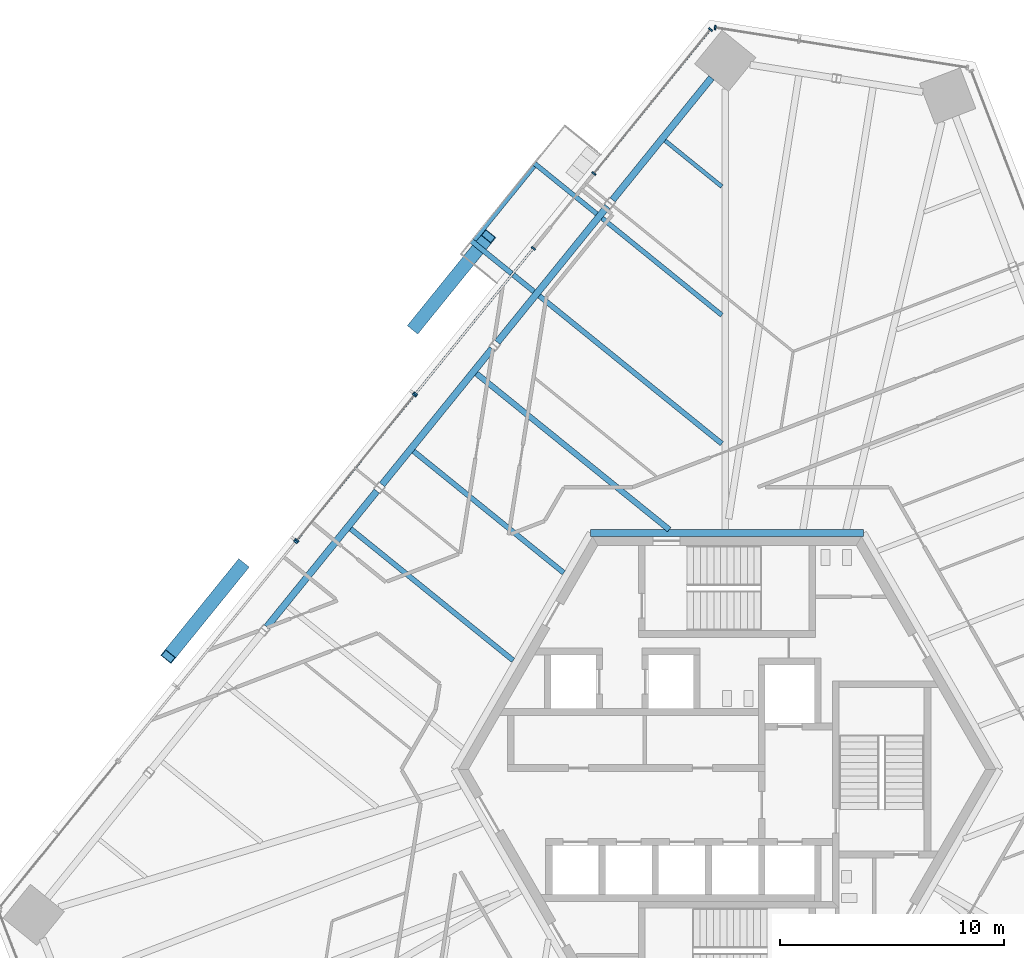
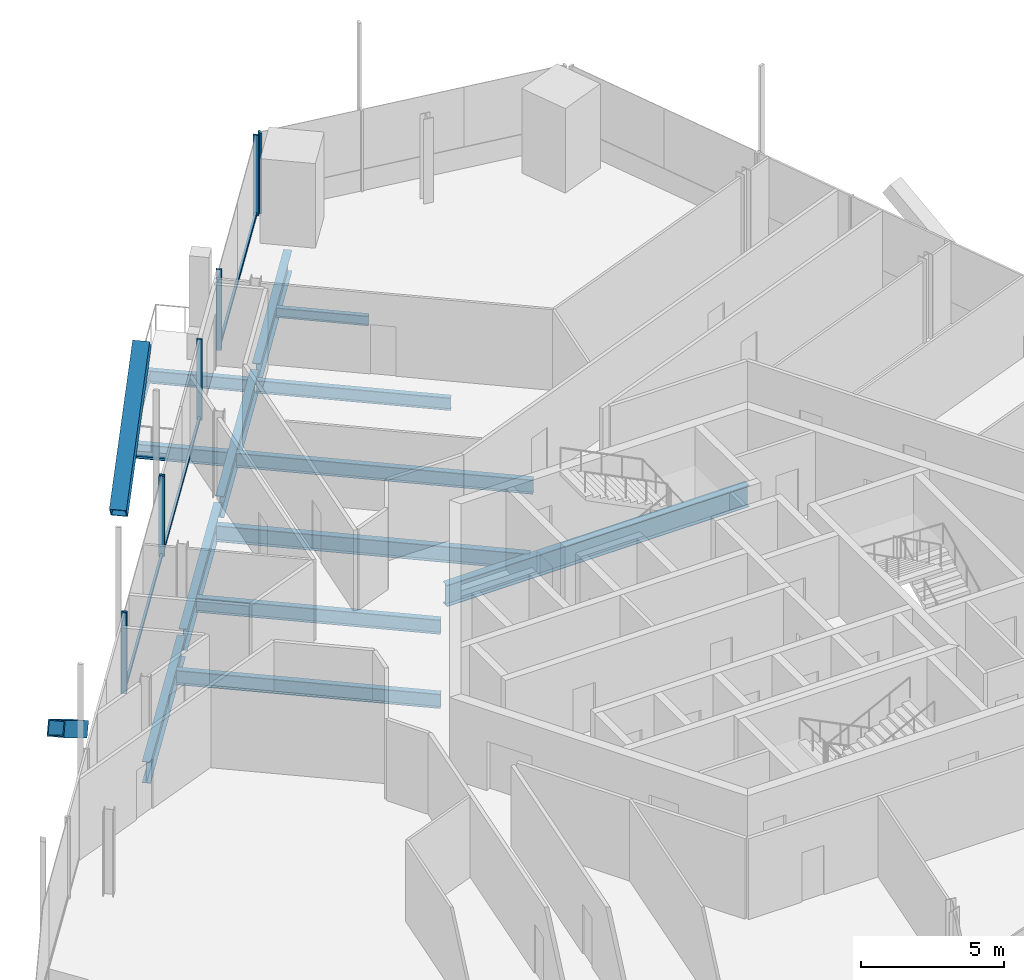
# One storey, part 8 of 21: 14 beams, 13 members, 5 elements without a shape of their own.
"""IFC4 building model written with IfcOpenShell, lengths in metres."""

from ifc_helpers import new_model, si_unit, direction, frame, origin, origin_2d, place, context, subcontext, project, spatial, rectangle, hollow_rectangle, i_section, extrude, source, transform, mapped, material, material_profile, profile_set, type_object, element, aggregate, save


model = new_model("IFC4")

# Units and contexts
model_context = context("Model", 3, precision=1e-05, world=origin(), true_north=direction((0.0, 1.0)))
body_context = subcontext(model_context, "Body", "Model", "MODEL_VIEW")
ifc_project = project(units=[si_unit("LENGTHUNIT", "METRE"), si_unit("AREAUNIT", "SQUARE_METRE"), si_unit("VOLUMEUNIT", "CUBIC_METRE"), si_unit("PLANEANGLEUNIT", "RADIAN"), si_unit("MASSUNIT", "GRAM", prefix="KILO")], contexts=[model_context])

# Site, building, storey
site_placement = place(None, origin())
site = spatial("IfcSite", under=ifc_project, at=site_placement, CompositionType="ELEMENT")
building_placement = place(site_placement, origin())
building = spatial("IfcBuilding", under=site, at=building_placement, Name="Triune Harvest Tower", CompositionType="ELEMENT")
storey_placement = place(building_placement, frame((0.0, 0.0, 160.5)))
storey = spatial("IfcBuildingStorey", under=building, at=storey_placement, Name="L41", CompositionType="ELEMENT", Elevation=160.5)

# Beams
ifc_material_1 = material(Name="Steel ASTM A992 Gr 50", Category="steel")
ifc_material_profile_1 = material_profile(ifc_material_1, i_section(OverallWidth=0.3046875, OverallDepth=0.914306640625, WebThickness=0.0166015625, FlangeThickness=0.02587890625, at=origin_2d()), Name="W36x160")
ifc_profile_set_1 = profile_set([ifc_material_profile_1], Name="Steel ASTM A992 Gr 50")
beam_type_1 = type_object("IfcBeamType", Name="CG-1 Core ring girder W36x160", PredefinedType="BEAM", material=ifc_profile_set_1)
shared_shape_1 = source(origin(), body_context, "Body", "SweptSolid", [
    extrude(i_section(OverallWidth=0.3046875, OverallDepth=0.914306640625, WebThickness=0.0166015625, FlangeThickness=0.02587890625, at=origin_2d()), origin(), (0.0, 0.0, 1.0), 12.17578125),
])
beam_1_placement = place(storey_placement, frame((6.087890625, 10.544677734375, -0.6171875), z_axis=(-1.0, 0.0, 0.0), x_axis=(0.0, -1.0, 0.0)))
element("IfcBeam", 1, at=beam_1_placement, inside=storey, type_object=beam_type_1, Name="beam/L41/CG2", PredefinedType="BEAM", context=body_context, shape_type="MappedRepresentation", body=[
    mapped(shared_shape_1, transform((0.0, 0.0, 0.0), scale=1.0)),
])
ifc_material_2 = material(Name="Steel ASTM A992 Gr 50", Category="steel")
ifc_material_profile_2 = material_profile(ifc_material_2, i_section(OverallWidth=0.3046875, OverallDepth=0.914306640625, WebThickness=0.0166015625, FlangeThickness=0.02587890625, at=origin_2d()), Name="W36x160")
ifc_profile_set_2 = profile_set([ifc_material_profile_2], Name="Steel ASTM A992 Gr 50")
beam_type_2 = type_object("IfcBeamType", Name="SB-1 Spandrel beam W36x160", PredefinedType="SPANDREL", material=ifc_profile_set_2)
shared_shape_2 = source(origin(), body_context, "Body", "SweptSolid", [
    extrude(i_section(OverallWidth=0.3046875, OverallDepth=0.914306640625, WebThickness=0.0166015625, FlangeThickness=0.02587890625, at=origin_2d()), origin(), (0.0, 0.0, 1.0), 7.013427734375),
])
beam_2_placement = place(storey_placement, frame((-0.69287109375, 30.8642578125, -0.6171875), z_axis=(-0.629311381255, -0.777153257358, 0.0), x_axis=(0.777153257358, -0.629311381255, 0.0)))
element("IfcBeam", 2, at=beam_2_placement, inside=storey, type_object=beam_type_2, Name="beam/L41/SB9", PredefinedType="SPANDREL", context=body_context, shape_type="MappedRepresentation", body=[
    mapped(shared_shape_2, transform((0.0, 0.0, 0.0), scale=1.0)),
])
shared_shape_3 = source(origin(), body_context, "Body", "SweptSolid", [
    extrude(i_section(OverallWidth=0.3046875, OverallDepth=0.914306640625, WebThickness=0.0166015625, FlangeThickness=0.02587890625, at=origin_2d()), origin(), (0.0, 0.0, 1.0), 7.801513671875),
])
for number, where, z_axis, x_axis, name in (
    (3, (-5.34130859375, 25.12353515625, -0.6171875), (-0.629351256413, -0.777120966163, 0.0), (0.777120966163, -0.629351256413, 0.0), "beam/L41/SB10"),
    (4, (-10.486083984375, 18.7705078125, -0.6171875), (-0.629317051779, -0.777148665533, 0.0), (0.777148665533, -0.629317051779, 0.0), "beam/L41/SB11"),
    (5, (-15.630859375, 12.417236328125, -0.6171875), (-0.629317051779, -0.777148665533, 0.0), (0.777148665533, -0.629317051779, 0.0), "beam/L41/SB12"),
):
    element("IfcBeam", number, at=place(storey_placement, frame(where, z_axis=z_axis, x_axis=x_axis)), inside=storey, type_object=beam_type_2, Name=name, PredefinedType="SPANDREL", context=body_context, shape_type="MappedRepresentation", body=[
        mapped(shared_shape_3, transform((0.0, 0.0, 0.0), scale=1.0)),
    ])
ifc_material_3 = material(Name="Steel ASTM A992 Gr 50", Category="steel")
ifc_material_profile_3 = material_profile(ifc_material_3, i_section(OverallWidth=0.22900390625, OverallDepth=0.612060546875, WebThickness=0.011962890625, FlangeThickness=0.01953125, at=origin_2d()), Name="W24x84")
ifc_profile_set_3 = profile_set([ifc_material_profile_3], Name="Steel ASTM A992 Gr 50")
beam_type_3 = type_object("IfcBeamType", Name="JT-3 Floor joist W24x84", PredefinedType="JOIST", material=ifc_profile_set_3)
shared_shape_4 = source(origin(), body_context, "Body", "SweptSolid", [
    extrude(i_section(OverallWidth=0.22900390625, OverallDepth=0.612060546875, WebThickness=0.011962890625, FlangeThickness=0.01953125, at=origin_2d()), origin(), (0.0, 0.0, 1.0), 10.482666015625),
])
beam_3_placement = place(storey_placement, frame((-8.37939453125, 21.1298828125, -0.466064453125), z_axis=(0.777144521909, -0.62932216874, 0.0), x_axis=(0.62932216874, 0.777144521909, 0.0)))
element("IfcBeam", 6, at=beam_3_placement, inside=storey, type_object=beam_type_3, Name="beam/L41/JT15", PredefinedType="JOIST", context=body_context, shape_type="MappedRepresentation", body=[
    mapped(shared_shape_4, transform((0.0, 0.0, 0.0), scale=1.0)),
])
ifc_material_4 = material(Name="Steel ASTM A992 Gr 50", Category="steel")
ifc_material_profile_4 = material_profile(ifc_material_4, i_section(OverallWidth=0.180908203125, OverallDepth=0.41650390625, WebThickness=0.010986328125, FlangeThickness=0.01806640625, at=origin_2d()), Name="W16x57")
ifc_profile_set_4 = profile_set([ifc_material_profile_4], Name="Steel ASTM A992 Gr 50")
beam_type_4 = type_object("IfcBeamType", Name="JT-1 Floor joist W16x57", PredefinedType="JOIST", material=ifc_profile_set_4)
shared_shape_5 = source(origin(), body_context, "Body", "SweptSolid", [
    extrude(i_section(OverallWidth=0.180908203125, OverallDepth=0.41650390625, WebThickness=0.010986328125, FlangeThickness=0.01806640625, at=origin_2d()), origin(), (0.0, 0.0, 1.0), 3.2607421875),
])
beam_4_placement = place(storey_placement, frame((-2.76708984375, 28.060546875, -0.368408203125), z_axis=(0.777166403411, -0.6292951465, 0.0), x_axis=(0.6292951465, 0.777166403411, 0.0)))
element("IfcBeam", 7, at=beam_4_placement, inside=storey, type_object=beam_type_4, Name="beam/L41/JT13", PredefinedType="JOIST", context=body_context, shape_type="MappedRepresentation", body=[
    mapped(shared_shape_5, transform((0.0, 0.0, 0.0), scale=1.0)),
])
ifc_material_5 = material(Name="Steel ASTM A992 Gr 50", Category="steel")
ifc_material_profile_5 = material_profile(ifc_material_5, i_section(OverallWidth=0.2099609375, OverallDepth=0.535888671875, WebThickness=0.010986328125, FlangeThickness=0.017333984375, at=origin_2d()), Name="W21x68")
ifc_profile_set_5 = profile_set([ifc_material_profile_5], Name="Steel ASTM A992 Gr 50")
beam_type_5 = type_object("IfcBeamType", Name="JT-2 Floor joist W21x68", PredefinedType="JOIST", material=ifc_profile_set_5)
shared_shape_6 = source(origin(), body_context, "Body", "SweptSolid", [
    extrude(i_section(OverallWidth=0.2099609375, OverallDepth=0.535888671875, WebThickness=0.010986328125, FlangeThickness=0.017333984375, at=origin_2d()), origin(), (0.0, 0.0, 1.0), 6.87158203125),
])
beam_5_placement = place(storey_placement, frame((-5.572998046875, 24.59521484375, -0.427978515625), z_axis=(0.777135642445, -0.629333133755, 0.0), x_axis=(0.629333133755, 0.777135642445, 0.0)))
element("IfcBeam", 8, at=beam_5_placement, inside=storey, type_object=beam_type_5, Name="beam/L41/JT14", PredefinedType="JOIST", context=body_context, shape_type="MappedRepresentation", body=[
    mapped(shared_shape_6, transform((0.0, 0.0, 0.0), scale=1.0)),
])
ifc_material_6 = material(Name="Steel ASTM A992 Gr 50", Category="steel")
ifc_material_profile_6 = material_profile(ifc_material_6, i_section(OverallWidth=0.253662109375, OverallDepth=0.683349609375, WebThickness=0.012451171875, FlangeThickness=0.01904296875, at=origin_2d()), Name="W27x94")
ifc_profile_set_6 = profile_set([ifc_material_profile_6], Name="Steel ASTM A992 Gr 50")
beam_type_6 = type_object("IfcBeamType", Name="JT-4 Floor joist W27x94", PredefinedType="JOIST", material=ifc_profile_set_6)
shared_shape_7 = source(origin(), body_context, "Body", "SweptSolid", [
    extrude(i_section(OverallWidth=0.253662109375, OverallDepth=0.683349609375, WebThickness=0.012451171875, FlangeThickness=0.01904296875, at=origin_2d()), origin(), (0.0, 0.0, 1.0), 11.0712890625),
])
beam_6_placement = place(storey_placement, frame((-11.185546875, 17.66455078125, -0.501708984375), z_axis=(0.777139586487, -0.6293282634, 0.0), x_axis=(0.6293282634, 0.777139586487, 0.0)))
element("IfcBeam", 9, at=beam_6_placement, inside=storey, type_object=beam_type_6, Name="beam/L41/JT16", PredefinedType="JOIST", context=body_context, shape_type="MappedRepresentation", body=[
    mapped(shared_shape_7, transform((0.0, 0.0, 0.0), scale=1.0)),
])
shared_shape_8 = source(origin(), body_context, "Body", "SweptSolid", [
    extrude(i_section(OverallWidth=0.22900390625, OverallDepth=0.612060546875, WebThickness=0.011962890625, FlangeThickness=0.01953125, at=origin_2d()), origin(), (0.0, 0.0, 1.0), 8.6259765625),
])
beam_7_placement = place(storey_placement, frame((-13.99169921875, 14.19921875, -0.466064453125), z_axis=(0.777146653343, -0.629319536641, 0.0), x_axis=(0.629319536641, 0.777146653343, 0.0)))
element("IfcBeam", 10, at=beam_7_placement, inside=storey, type_object=beam_type_3, Name="beam/L41/JT17", PredefinedType="JOIST", context=body_context, shape_type="MappedRepresentation", body=[
    mapped(shared_shape_8, transform((0.0, 0.0, 0.0), scale=1.0)),
])
shared_shape_9 = source(origin(), body_context, "Body", "SweptSolid", [
    extrude(i_section(OverallWidth=0.22900390625, OverallDepth=0.612060546875, WebThickness=0.011962890625, FlangeThickness=0.01953125, at=origin_2d()), origin(), (0.0, 0.0, 1.0), 9.33251953125),
])
beam_8_placement = place(storey_placement, frame((-16.798095703125, 10.73388671875, -0.466064453125), z_axis=(0.777149214732, -0.629316373568, 0.0), x_axis=(0.629316373568, 0.777149214732, 0.0)))
element("IfcBeam", 11, at=beam_8_placement, inside=storey, type_object=beam_type_3, Name="beam/L41/JT18", PredefinedType="JOIST", context=body_context, shape_type="MappedRepresentation", body=[
    mapped(shared_shape_9, transform((0.0, 0.0, 0.0), scale=1.0)),
])

# Members
ifc_material_7 = material(Name="Steel ASTM A572 Gr 50", Category="steel")
ifc_material_profile_7 = material_profile(ifc_material_7, hollow_rectangle(XDim=0.60009765625, YDim=0.60009765625, WallThickness=0.0400390625, at=origin_2d()), Name="Box 600x600x40")
ifc_profile_set_7 = profile_set([ifc_material_profile_7], Name="Steel ASTM A572 Gr 50")
member_type_1 = type_object("IfcMemberType", Name="BR-2 Brace Box 600x600x40", PredefinedType="BRACE", material=ifc_profile_set_7)
shared_shape_10 = source(origin(), body_context, "Body", "SweptSolid", [
    extrude(hollow_rectangle(XDim=0.60009765625, YDim=0.60009765625, WallThickness=0.0400390625, at=origin_2d()), origin(), (0.0, 0.0, 1.0), 6.3291015625),
])
for number, where, z_axis, x_axis, name in (
    (12, (-21.6650390625, 9.0791015625, 0.0), (-0.517590508098, -0.639176831062, 0.568817233002), (0.777148746815, -0.629316951404, 0.0), "brace/B4-F3/d1/7"),
    (13, (-13.92919921875, 19.744384765625, 0.0), (0.517590508098, 0.639176831062, 0.568817233002), (-0.777148746815, 0.629316951404, 0.0), "brace/B4-F3/d2/7"),
):
    element("IfcMember", number, at=place(storey_placement, frame(where, z_axis=z_axis, x_axis=x_axis)), inside=storey, type_object=member_type_1, Name=name, PredefinedType="BRACE", context=body_context, shape_type="MappedRepresentation", body=[
        mapped(shared_shape_10, transform((0.0, 0.0, 0.0), scale=1.0)),
    ])

# Curtain wall, member
ifc_material_8 = material(Name="Aluminium bronze anodised", Category="aluminium")
curtain_wall_type_1 = type_object("IfcCurtainWallType", Name="CW-1 Tower stick curtain wall", PredefinedType="NOTDEFINED", material=ifc_material_8)
curtain_wall_1_placement = place(storey_placement, origin())
curtain_wall_1 = element("IfcCurtainWall", 14, at=curtain_wall_1_placement, inside=storey, type_object=curtain_wall_type_1, Name="CW-1 B4-F2 L41 run 1")
ifc_material_9 = material(Name="Aluminium bronze anodised", Category="aluminium")
ifc_material_profile_8 = material_profile(ifc_material_9, rectangle(XDim=0.199951171875, YDim=0.074951171875, at=origin_2d()), Name="MU-1 mullion 75 x 200")
ifc_profile_set_8 = profile_set([ifc_material_profile_8], Name="Aluminium bronze anodised")
member_type_2 = type_object("IfcMemberType", Name="MU-1 mullion 75 x 200", PredefinedType="MULLION", material=ifc_profile_set_8)
shared_shape_11 = source(origin(), body_context, "Body", "SweptSolid", [
    extrude(rectangle(XDim=0.199951171875, YDim=0.074951171875, at=origin_2d()), origin(), (0.0, 0.0, 1.0), 3.43994140625),
])
member_1_placement = place(storey_placement, frame((-0.528076171875, 33.09912109375, 0.0), z_axis=(0.0, 0.0, 1.0), x_axis=(-0.156432728322, -0.987688615663, 0.0)))
member_1 = element("IfcMember", 15, at=member_1_placement, type_object=member_type_2, Name="CW-1 mullion B4-F2 1.4", PredefinedType="MULLION", context=body_context, shape_type="MappedRepresentation", body=[
    mapped(shared_shape_11, transform((0.0, 0.0, 0.0), scale=1.0)),
])
aggregate(curtain_wall_1, [member_1])

# Curtain wall, members
ifc_material_10 = material(Name="Aluminium bronze anodised", Category="aluminium")
curtain_wall_type_2 = type_object("IfcCurtainWallType", Name="CW-6 Balcony window wall", PredefinedType="NOTDEFINED", material=ifc_material_10)
curtain_wall_2_placement = place(storey_placement, origin())
curtain_wall_2 = element("IfcCurtainWall", 16, at=curtain_wall_2_placement, inside=storey, type_object=curtain_wall_type_2, Name="CW-6 B4-F3 L41 run 1")
ifc_material_11 = material(Name="Aluminium bronze anodised", Category="aluminium")
ifc_material_profile_9 = material_profile(ifc_material_11, rectangle(XDim=0.199951171875, YDim=0.074951171875, at=origin_2d()), Name="MU-6 mullion 75 x 200")
ifc_profile_set_9 = profile_set([ifc_material_profile_9], Name="Aluminium bronze anodised")
member_type_3 = type_object("IfcMemberType", Name="MU-6 mullion 75 x 200", PredefinedType="MULLION", material=ifc_profile_set_9)
shared_shape_12 = source(origin(), body_context, "Body", "SweptSolid", [
    extrude(rectangle(XDim=0.199951171875, YDim=0.074951171875, at=origin_2d()), origin(), (0.0, 0.0, 1.0), 3.43994140625),
])
member_2_placement = place(storey_placement, frame((-0.734130859375, 33.02001953125, 0.0), z_axis=(0.0, 0.0, 1.0), x_axis=(0.777145096577, -0.629321459087, 0.0)))
member_2 = element("IfcMember", 17, at=member_2_placement, type_object=member_type_3, Name="CW-6 mullion B4-F3 1.1", PredefinedType="MULLION", context=body_context, shape_type="MappedRepresentation", body=[
    mapped(shared_shape_12, transform((0.0, 0.0, 0.0), scale=1.0)),
])
member_3_placement = place(storey_placement, frame((-5.943115234375, 26.587158203125, 0.0), z_axis=(0.0, 0.0, 1.0), x_axis=(0.777145096577, -0.629321459087, 0.0)))
member_3 = element("IfcMember", 18, at=member_3_placement, type_object=member_type_3, Name="CW-6 mullion B4-F3 1.3", PredefinedType="MULLION", context=body_context, shape_type="MappedRepresentation", body=[
    mapped(shared_shape_12, transform((0.0, 0.0, 0.0), scale=1.0)),
])

ifc_material_12 = material(Name="Aluminium bronze anodised", Category="aluminium")
curtain_wall_type_3 = type_object("IfcCurtainWallType", Name="CW-10 Balcony window wall with insulated spandrel infill", PredefinedType="NOTDEFINED", material=ifc_material_12)
curtain_wall_3_placement = place(storey_placement, origin())
curtain_wall_3 = element("IfcCurtainWall", 19, at=curtain_wall_3_placement, inside=storey, type_object=curtain_wall_type_3, Name="CW-10 B4-F3 L41 run 2")
member_4_placement = place(storey_placement, frame((-8.646728515625, 23.24853515625, 0.0), z_axis=(0.0, 0.0, 1.0), x_axis=(0.777141863648, -0.629325451389, 0.0)))
member_4 = element("IfcMember", 20, at=member_4_placement, type_object=member_type_3, Name="CW-10 mullion B4-F3 2.1", PredefinedType="MULLION", context=body_context, shape_type="MappedRepresentation", body=[
    mapped(shared_shape_12, transform((0.0, 0.0, 0.0), scale=1.0)),
])
member_5_placement = place(storey_placement, frame((-13.89990234375, 16.761474609375, 0.0), z_axis=(0.0, 0.0, 1.0), x_axis=(0.777141863648, -0.629325451389, 0.0)))
member_5 = element("IfcMember", 21, at=member_5_placement, type_object=member_type_3, Name="CW-10 mullion B4-F3 2.3", PredefinedType="MULLION", context=body_context, shape_type="MappedRepresentation", body=[
    mapped(shared_shape_12, transform((0.0, 0.0, 0.0), scale=1.0)),
])

curtain_wall_4_placement = place(storey_placement, origin())
curtain_wall_4 = element("IfcCurtainWall", 22, at=curtain_wall_4_placement, inside=storey, type_object=curtain_wall_type_2, Name="CW-6 B4-F3 L41 run 1002")
member_6_placement = place(storey_placement, frame((-13.947265625, 16.703369140625, 0.0), z_axis=(0.0, 0.0, 1.0), x_axis=(0.777144767109, -0.629321865944, 0.0)))
member_6 = element("IfcMember", 23, at=member_6_placement, type_object=member_type_3, Name="CW-6 mullion B4-F3 1002.1", PredefinedType="MULLION", context=body_context, shape_type="MappedRepresentation", body=[
    mapped(shared_shape_12, transform((0.0, 0.0, 0.0), scale=1.0)),
])
member_7_placement = place(storey_placement, frame((-19.2001953125, 10.21630859375, 0.0), z_axis=(0.0, 0.0, 1.0), x_axis=(0.777144767109, -0.629321865944, 0.0)))
member_7 = element("IfcMember", 24, at=member_7_placement, type_object=member_type_3, Name="CW-6 mullion B4-F3 1002.3", PredefinedType="MULLION", context=body_context, shape_type="MappedRepresentation", body=[
    mapped(shared_shape_12, transform((0.0, 0.0, 0.0), scale=1.0)),
])

# Curtain wall, member
curtain_wall_5_placement = place(storey_placement, origin())
curtain_wall_5 = element("IfcCurtainWall", 25, at=curtain_wall_5_placement, inside=storey, type_object=curtain_wall_type_3, Name="CW-10 B4-F3 L41 run 2002")
member_8_placement = place(storey_placement, frame((-19.24755859375, 10.157958984375, 0.0), z_axis=(0.0, 0.0, 1.0), x_axis=(0.777148270206, -0.629317539971, 0.0)))
member_8 = element("IfcMember", 26, at=member_8_placement, type_object=member_type_3, Name="CW-10 mullion B4-F3 2002.1", PredefinedType="MULLION", context=body_context, shape_type="MappedRepresentation", body=[
    mapped(shared_shape_12, transform((0.0, 0.0, 0.0), scale=1.0)),
])
aggregate(curtain_wall_5, [member_8])

# Beams
ifc_material_13 = material(Name="Steel ASTM A992 Gr 50", Category="steel")
ifc_material_profile_10 = material_profile(ifc_material_13, i_section(OverallWidth=0.22900390625, OverallDepth=0.612060546875, WebThickness=0.011962890625, FlangeThickness=0.01953125, at=origin_2d()), Name="W24x84")
ifc_profile_set_10 = profile_set([ifc_material_profile_10], Name="Steel ASTM A992 Gr 50")
beam_type_7 = type_object("IfcBeamType", Name="BJ-3 Balcony cantilever joist W24x84", PredefinedType="JOIST", material=ifc_profile_set_10)
shared_shape_13 = source(origin(), body_context, "Body", "SweptSolid", [
    extrude(i_section(OverallWidth=0.22900390625, OverallDepth=0.612060546875, WebThickness=0.011962890625, FlangeThickness=0.01953125, at=origin_2d()), origin(), (0.0, 0.0, 1.0), 3.59765625),
])
beam_9_placement = place(storey_placement, frame((-8.6162109375, 21.32177734375, -0.466064453125), z_axis=(-0.777167426596, 0.629293882887, 0.0), x_axis=(-0.629293882887, -0.777167426596, 0.0)))
element("IfcBeam", 27, at=beam_9_placement, inside=storey, type_object=beam_type_7, Name="Balcony cantilever joist B4-F3 L41.3b", PredefinedType="JOIST", context=body_context, shape_type="MappedRepresentation", body=[
    mapped(shared_shape_13, transform((0.0, 0.0, 0.0), scale=1.0)),
])
ifc_material_14 = material(Name="Steel ASTM A992 Gr 50", Category="steel")
ifc_material_profile_11 = material_profile(ifc_material_14, i_section(OverallWidth=0.2099609375, OverallDepth=0.535888671875, WebThickness=0.010986328125, FlangeThickness=0.017333984375, at=origin_2d()), Name="W21x68")
ifc_profile_set_11 = profile_set([ifc_material_profile_11], Name="Steel ASTM A992 Gr 50")
beam_type_8 = type_object("IfcBeamType", Name="BJ-2 Balcony cantilever joist W21x68", PredefinedType="JOIST", material=ifc_profile_set_11)
shared_shape_14 = source(origin(), body_context, "Body", "SweptSolid", [
    extrude(i_section(OverallWidth=0.2099609375, OverallDepth=0.535888671875, WebThickness=0.010986328125, FlangeThickness=0.017333984375, at=origin_2d()), origin(), (0.0, 0.0, 1.0), 3.59765625),
])
beam_10_placement = place(storey_placement, frame((-5.81005859375, 24.787109375, -0.427978515625), z_axis=(-0.777134237383, 0.629334868799, 0.0), x_axis=(-0.629334868799, -0.777134237383, 0.0)))
element("IfcBeam", 28, at=beam_10_placement, inside=storey, type_object=beam_type_8, Name="Balcony cantilever joist B4-F3 L41.3a", PredefinedType="JOIST", context=body_context, shape_type="MappedRepresentation", body=[
    mapped(shared_shape_14, transform((0.0, 0.0, 0.0), scale=1.0)),
])
ifc_material_15 = material(Name="Steel ASTM A992 Gr 50", Category="steel")
ifc_material_profile_12 = material_profile(ifc_material_15, i_section(OverallWidth=0.180908203125, OverallDepth=0.41650390625, WebThickness=0.010986328125, FlangeThickness=0.01806640625, at=origin_2d()), Name="W16x57")
ifc_profile_set_12 = profile_set([ifc_material_profile_12], Name="Steel ASTM A992 Gr 50")
beam_type_9 = type_object("IfcBeamType", Name="BE-1 balcony edge beam W16x57", PredefinedType="BEAM", material=ifc_profile_set_12)
shared_shape_15 = source(origin(), body_context, "Body", "SweptSolid", [
    extrude(i_section(OverallWidth=0.180908203125, OverallDepth=0.41650390625, WebThickness=0.010986328125, FlangeThickness=0.01806640625, at=origin_2d()), origin(), (0.0, 0.0, 1.0), 4.239501953125),
])
beam_11_placement = place(storey_placement, frame((-11.269775390625, 23.617919921875, -0.368408203125), z_axis=(0.62931915537, 0.777146962089, 0.0), x_axis=(-0.777146962089, 0.62931915537, 0.0)))
element("IfcBeam", 29, at=beam_11_placement, inside=storey, type_object=beam_type_9, Name="Balcony edge beam B4-F3 L41.3", PredefinedType="BEAM", context=body_context, shape_type="MappedRepresentation", body=[
    mapped(shared_shape_15, transform((0.0, 0.0, 0.0), scale=1.0)),
])

# Member
ifc_material_16 = material(Name="Aluminium bronze anodised", Category="aluminium")
ifc_material_profile_13 = material_profile(ifc_material_16, rectangle(XDim=0.090087890625, YDim=0.14990234375, at=origin_2d()), Name="TR-6 transom 90 x 150")
ifc_profile_set_13 = profile_set([ifc_material_profile_13], Name="Aluminium bronze anodised")
member_type_4 = type_object("IfcMemberType", Name="TR-6 transom 90 x 150", PredefinedType="USERDEFINED", material=ifc_profile_set_13)
shared_shape_16 = source(origin(), body_context, "Body", "SweptSolid", [
    extrude(rectangle(XDim=0.090087890625, YDim=0.14990234375, at=origin_2d()), origin(), (0.0, 0.0, 1.0), 8.2021484375),
])
member_9_placement = place(storey_placement, frame((-0.7578125, 32.99072265625, 0.074951171875), z_axis=(-0.629326659165, -0.777140885595, 0.0), x_axis=(0.777140885595, -0.629326659165, 0.0)))
member_9 = element("IfcMember", 30, at=member_9_placement, type_object=member_type_4, Name="CW-6 transom B4-F3 1.1", ObjectType="TRANSOM", PredefinedType="USERDEFINED", context=body_context, shape_type="MappedRepresentation", body=[
    mapped(shared_shape_16, transform((0.0, 0.0, 0.0), scale=1.0)),
])

aggregate(curtain_wall_2, [member_2, member_3, member_9])

shared_shape_17 = source(origin(), body_context, "Body", "SweptSolid", [
    extrude(rectangle(XDim=0.090087890625, YDim=0.14990234375, at=origin_2d()), origin(), (0.0, 0.0, 1.0), 8.272216796875),
])
member_10_placement = place(storey_placement, frame((-8.67041015625, 23.219482421875, 0.074951171875), z_axis=(-0.629334059467, -0.777134892792, 0.0), x_axis=(0.777134892792, -0.629334059467, 0.0)))
member_10 = element("IfcMember", 31, at=member_10_placement, type_object=member_type_4, Name="CW-10 transom B4-F3 2.1", ObjectType="TRANSOM", PredefinedType="USERDEFINED", context=body_context, shape_type="MappedRepresentation", body=[
    mapped(shared_shape_17, transform((0.0, 0.0, 0.0), scale=1.0)),
])

aggregate(curtain_wall_3, [member_4, member_5, member_10])

member_11_placement = place(storey_placement, frame((-13.970703125, 16.674072265625, 0.074951171875), z_axis=(-0.629334059467, -0.777134892792, 0.0), x_axis=(0.777134892792, -0.629334059467, 0.0)))
member_11 = element("IfcMember", 32, at=member_11_placement, type_object=member_type_4, Name="CW-6 transom B4-F3 1002.1", ObjectType="TRANSOM", PredefinedType="USERDEFINED", context=body_context, shape_type="MappedRepresentation", body=[
    mapped(shared_shape_17, transform((0.0, 0.0, 0.0), scale=1.0)),
])

aggregate(curtain_wall_4, [member_6, member_7, member_11])

save(model, "model.ifc")
